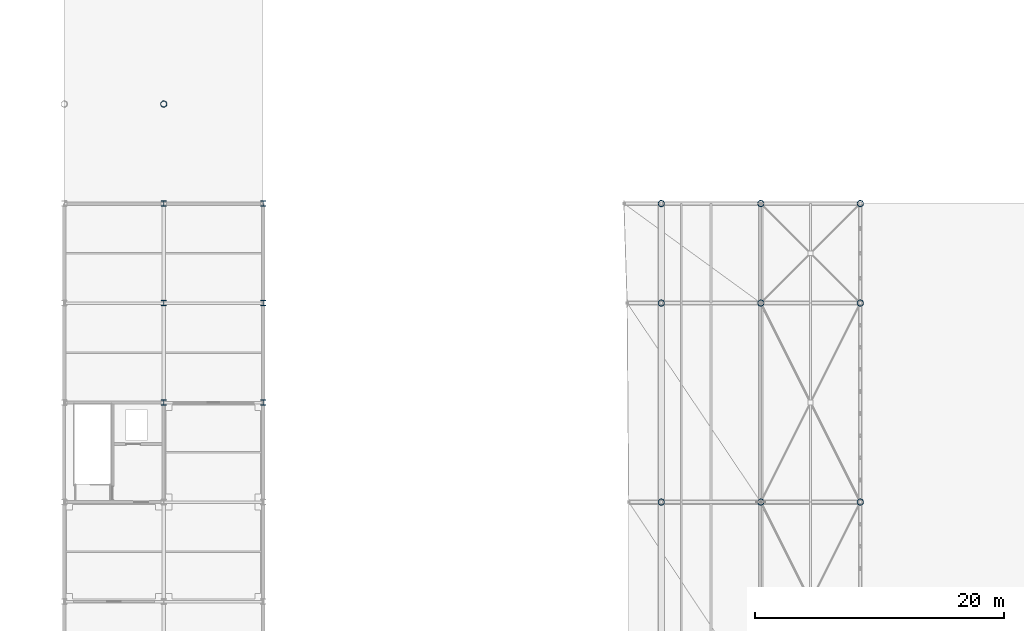
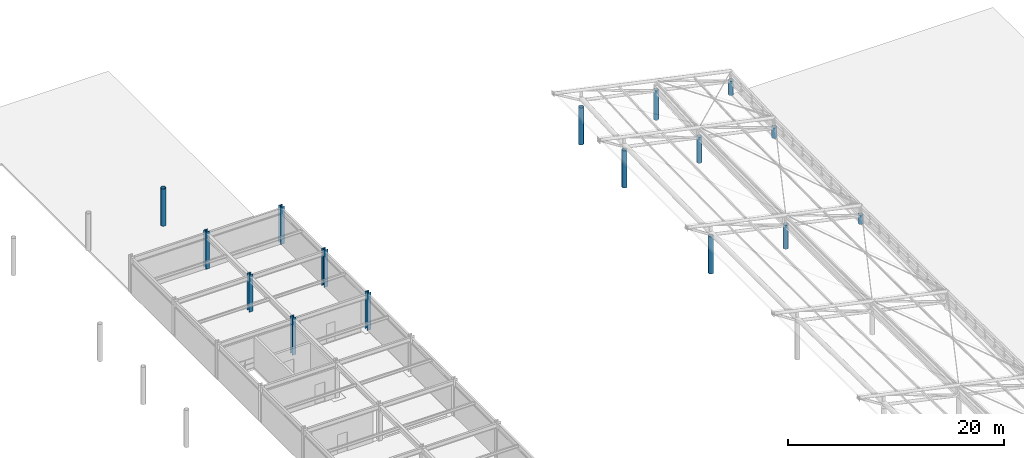
# One storey, part 10 of 54: 16 columns.
"""IFC4 building model written with IfcOpenShell, lengths in metres."""

from ifc_helpers import new_model, si_unit, direction, frame, origin, origin_2d, place, context, subcontext, project, spatial, hollow_circle, i_section, extrude, material, material_profile, profile_set, type_object, element, save


model = new_model("IFC4")

# Units and contexts
model_context = context("Model", 3, precision=1e-05, world=origin(), true_north=direction((0.0, 1.0)))
body_context = subcontext(model_context, "Body", "Model", "MODEL_VIEW")
ifc_project = project(units=[si_unit("LENGTHUNIT", "METRE"), si_unit("AREAUNIT", "SQUARE_METRE"), si_unit("VOLUMEUNIT", "CUBIC_METRE"), si_unit("PLANEANGLEUNIT", "RADIAN"), si_unit("MASSUNIT", "GRAM", prefix="KILO")], contexts=[model_context])

# Site, building, storey
site_placement = place(None, origin())
site = spatial("IfcSite", under=ifc_project, at=site_placement, CompositionType="ELEMENT")
building_placement = place(site_placement, origin())
building = spatial("IfcBuilding", under=site, at=building_placement, Name="Haebicheon Civic Stadium", CompositionType="ELEMENT")
storey_placement = place(building_placement, frame((0.0, 0.0, 22.800048828125)))
storey = spatial("IfcBuildingStorey", under=building, at=storey_placement, Name="L06", CompositionType="ELEMENT", Elevation=22.800048828125)

# Columns
ifc_material_1 = material(Name="White painted steel SM490", Category="steel")
ifc_material_profile_1 = material_profile(ifc_material_1, hollow_circle(Radius=0.25390625, WallThickness=0.02490234375, at=origin_2d()), Name="CHS-508.0x25.0")
ifc_profile_set_1 = profile_set([ifc_material_profile_1], Name="White painted steel SM490")
column_type_1 = type_object("IfcColumnType", Name="COL-ST-CHS508", PredefinedType="COLUMN", material=ifc_profile_set_1)
column_1_placement = place(storey_placement, frame((152.0, 136.0, 0.0), z_axis=(0.0, 0.0, 1.0), x_axis=(1.0, 0.0, 0.0)))
element("IfcColumn", 1, at=column_1_placement, inside=storey, type_object=column_type_1, material=ifc_profile_set_1, Name="Bowl/canopy support column 152/136 (L06)", PredefinedType="COLUMN", context=body_context, shape_type="SweptSolid", body=[
    extrude(hollow_circle(Radius=0.25390625, WallThickness=0.02490234375, at=origin_2d()), origin(), (0.0, 0.0, 1.0), 4.199951171875),
])
column_2_placement = place(storey_placement, frame((208.0, 104.0, 0.0), z_axis=(0.0, 0.0, 1.0), x_axis=(1.0, 0.0, 0.0)))
element("IfcColumn", 2, at=column_2_placement, inside=storey, type_object=column_type_1, material=ifc_profile_set_1, Name="Bowl/canopy support column 208/104 (L06)", PredefinedType="COLUMN", context=body_context, shape_type="SweptSolid", body=[
    extrude(hollow_circle(Radius=0.25390625, WallThickness=0.02490234375, at=origin_2d()), origin(), (0.0, 0.0, 1.0), 0.97802734375),
])
column_3_placement = place(storey_placement, frame((200.0, 104.0, 0.0), z_axis=(0.0, 0.0, 1.0), x_axis=(1.0, 0.0, 0.0)))
element("IfcColumn", 3, at=column_3_placement, inside=storey, type_object=column_type_1, material=ifc_profile_set_1, Name="Bowl/canopy support column 200/104 (L06)", PredefinedType="COLUMN", context=body_context, shape_type="SweptSolid", body=[
    extrude(hollow_circle(Radius=0.25390625, WallThickness=0.02490234375, at=origin_2d()), origin(), (0.0, 0.0, 1.0), 2.697998046875),
])
column_4_placement = place(storey_placement, frame((192.0, 104.0, 0.0), z_axis=(0.0, 0.0, 1.0), x_axis=(1.0, 0.0, 0.0)))
element("IfcColumn", 4, at=column_4_placement, inside=storey, type_object=column_type_1, material=ifc_profile_set_1, Name="Bowl/canopy support column 192/104 (L06)", PredefinedType="COLUMN", context=body_context, shape_type="SweptSolid", body=[
    extrude(hollow_circle(Radius=0.25390625, WallThickness=0.02490234375, at=origin_2d()), origin(), (0.0, 0.0, 1.0), 4.199951171875),
])
column_5_placement = place(storey_placement, frame((208.0, 120.0, 0.0), z_axis=(0.0, 0.0, 1.0), x_axis=(1.0, 0.0, 0.0)))
element("IfcColumn", 5, at=column_5_placement, inside=storey, type_object=column_type_1, material=ifc_profile_set_1, Name="Bowl/canopy support column 208/120 (L06)", PredefinedType="COLUMN", context=body_context, shape_type="SweptSolid", body=[
    extrude(hollow_circle(Radius=0.25390625, WallThickness=0.02490234375, at=origin_2d()), origin(), (0.0, 0.0, 1.0), 1.18994140625),
])
column_6_placement = place(storey_placement, frame((200.0, 120.0, 0.0), z_axis=(0.0, 0.0, 1.0), x_axis=(1.0, 0.0, 0.0)))
element("IfcColumn", 6, at=column_6_placement, inside=storey, type_object=column_type_1, material=ifc_profile_set_1, Name="Bowl/canopy support column 200/120 (L06)", PredefinedType="COLUMN", context=body_context, shape_type="SweptSolid", body=[
    extrude(hollow_circle(Radius=0.25390625, WallThickness=0.02490234375, at=origin_2d()), origin(), (0.0, 0.0, 1.0), 2.909912109375),
])
column_7_placement = place(storey_placement, frame((192.0, 120.0, 0.0), z_axis=(0.0, 0.0, 1.0), x_axis=(1.0, 0.0, 0.0)))
element("IfcColumn", 7, at=column_7_placement, inside=storey, type_object=column_type_1, material=ifc_profile_set_1, Name="Bowl/canopy support column 192/120 (L06)", PredefinedType="COLUMN", context=body_context, shape_type="SweptSolid", body=[
    extrude(hollow_circle(Radius=0.25390625, WallThickness=0.02490234375, at=origin_2d()), origin(), (0.0, 0.0, 1.0), 4.199951171875),
])
column_8_placement = place(storey_placement, frame((208.0, 128.0, 0.0), z_axis=(0.0, 0.0, 1.0), x_axis=(1.0, 0.0, 0.0)))
element("IfcColumn", 8, at=column_8_placement, inside=storey, type_object=column_type_1, material=ifc_profile_set_1, Name="Bowl/canopy support column 208/128 (L06)", PredefinedType="COLUMN", context=body_context, shape_type="SweptSolid", body=[
    extrude(hollow_circle(Radius=0.25390625, WallThickness=0.02490234375, at=origin_2d()), origin(), (0.0, 0.0, 1.0), 1.612060546875),
])
column_9_placement = place(storey_placement, frame((200.0, 128.0, 0.0), z_axis=(0.0, 0.0, 1.0), x_axis=(1.0, 0.0, 0.0)))
element("IfcColumn", 9, at=column_9_placement, inside=storey, type_object=column_type_1, material=ifc_profile_set_1, Name="Bowl/canopy support column 200/128 (L06)", PredefinedType="COLUMN", context=body_context, shape_type="SweptSolid", body=[
    extrude(hollow_circle(Radius=0.25390625, WallThickness=0.02490234375, at=origin_2d()), origin(), (0.0, 0.0, 1.0), 3.33203125),
])
column_10_placement = place(storey_placement, frame((192.0, 128.0, 0.0), z_axis=(0.0, 0.0, 1.0), x_axis=(1.0, 0.0, 0.0)))
element("IfcColumn", 10, at=column_10_placement, inside=storey, type_object=column_type_1, material=ifc_profile_set_1, Name="Bowl/canopy support column 192/128 (L06)", PredefinedType="COLUMN", context=body_context, shape_type="SweptSolid", body=[
    extrude(hollow_circle(Radius=0.25390625, WallThickness=0.02490234375, at=origin_2d()), origin(), (0.0, 0.0, 1.0), 4.199951171875),
])
ifc_material_2 = material(Name="Steel SM490", Category="steel")
ifc_material_profile_2 = material_profile(ifc_material_2, i_section(OverallWidth=0.406982421875, OverallDepth=0.427978515625, WebThickness=0.02001953125, FlangeThickness=0.034912109375, at=origin_2d()), Name="H-428x407x20x35")
ifc_profile_set_2 = profile_set([ifc_material_profile_2], Name="Steel SM490")
column_type_2 = type_object("IfcColumnType", Name="COL-ST-H428", PredefinedType="COLUMN", material=ifc_profile_set_2)
for number, where, z_axis, x_axis, name in (
    (11, (152.0, 112.0, 0.0), (0.0, 0.0, 1.0), (1.0, 0.0, 0.0), "L06 column 20/Q"),
    (12, (152.0, 120.0, 0.0), (0.0, 0.0, 1.0), (1.0, 0.0, 0.0), "L06 column 20/R"),
    (13, (152.0, 128.0, 0.0), (0.0, 0.0, 1.0), (1.0, 0.0, 0.0), "L06 column 20/S"),
    (14, (160.0, 112.0, 0.0), (0.0, 0.0, 1.0), (1.0, 0.0, 0.0), "L06 column 21/Q"),
    (15, (160.0, 120.0, 0.0), (0.0, 0.0, 1.0), (1.0, 0.0, 0.0), "L06 column 21/R"),
    (16, (160.0, 128.0, 0.0), (0.0, 0.0, 1.0), (1.0, 0.0, 0.0), "L06 column 21/S"),
):
    element("IfcColumn", number, at=place(storey_placement, frame(where, z_axis=z_axis, x_axis=x_axis)), inside=storey, type_object=column_type_2, material=ifc_profile_set_2, Name=name, PredefinedType="COLUMN", context=body_context, shape_type="SweptSolid", body=[
        extrude(i_section(OverallWidth=0.406982421875, OverallDepth=0.427978515625, WebThickness=0.02001953125, FlangeThickness=0.034912109375, at=origin_2d()), origin(), (0.0, 0.0, 1.0), 4.199951171875),
    ])

save(model, "model.ifc")
